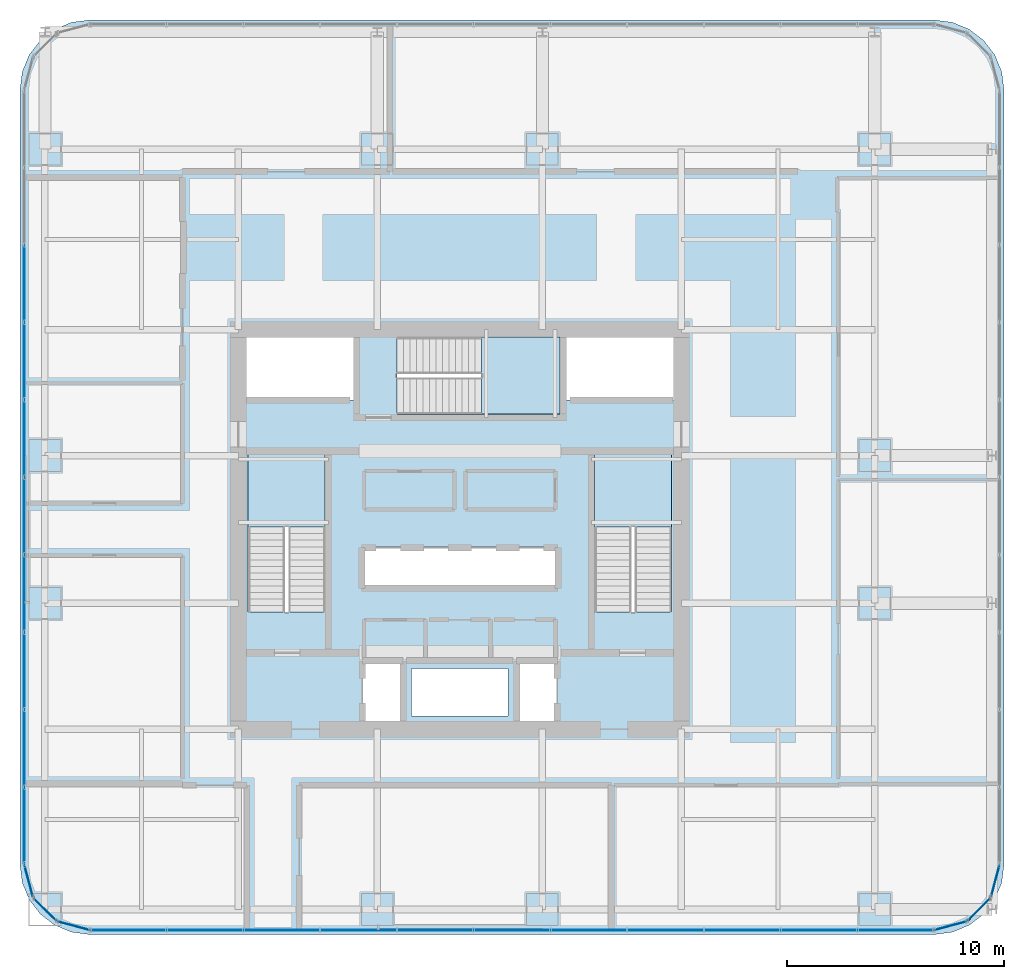
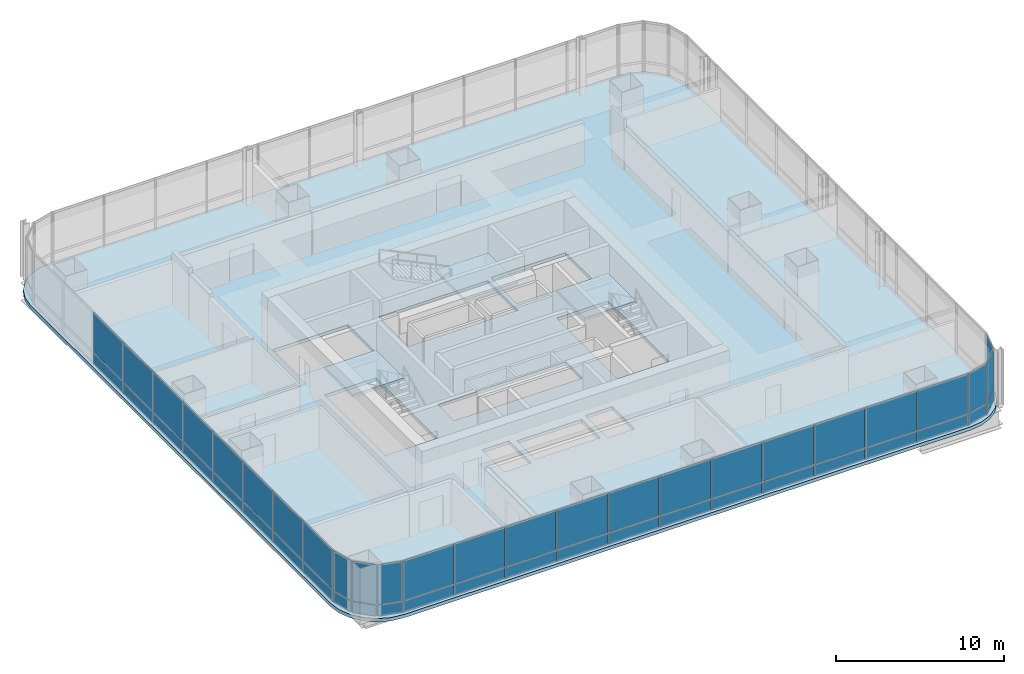
# One storey, part 25 of 34: 50 plates, 4 slabs, 11 elements without a shape of their own.
"""IFC4 building model written with IfcOpenShell, lengths in metres."""

from ifc_helpers import new_model, si_unit, direction, frame, origin, origin_2d, place, context, subcontext, project, spatial, polyline, rectangle, outline, extrude, material, layer, layer_set, type_object, element, aggregate, save


model = new_model("IFC4")

# Units and contexts
model_context = context("Model", 3, precision=1e-05, world=origin(), true_north=direction((0.0, 1.0)))
body_context = subcontext(model_context, "Body", "Model", "MODEL_VIEW")
ifc_project = project(units=[si_unit("LENGTHUNIT", "METRE"), si_unit("AREAUNIT", "SQUARE_METRE"), si_unit("VOLUMEUNIT", "CUBIC_METRE"), si_unit("PLANEANGLEUNIT", "RADIAN"), si_unit("MASSUNIT", "GRAM", prefix="KILO")], contexts=[model_context])

# Site, building, storey
site_placement = place(None, origin())
site = spatial("IfcSite", under=ifc_project, at=site_placement, CompositionType="ELEMENT")
building_placement = place(site_placement, origin())
building = spatial("IfcBuilding", under=site, at=building_placement, Name="Punatoya Terracotta Tower", CompositionType="ELEMENT")
storey_placement = place(building_placement, frame((0.0, 0.0, 101.10009765625)))
storey = spatial("IfcBuildingStorey", under=building, at=storey_placement, Name="L23", CompositionType="ELEMENT", Elevation=101.10009765625)

# Curtain wall, plates
ifc_material_1 = material(Name="Aluminium 6063-T6 + Double Low-E Glass", Category="aluminium")
curtain_wall_type = type_object("IfcCurtainWallType", Name="CW-M1", PredefinedType="NOTDEFINED", material=ifc_material_1)
curtain_wall_1_placement = place(storey_placement, origin())
curtain_wall_1 = element("IfcCurtainWall", 1, at=curtain_wall_1_placement, inside=storey, type_object=curtain_wall_type, Name="L23 Curtain Wall CW-L23-S01-1", PredefinedType="NOTDEFINED")
ifc_material_2 = material(Name="Double Low-E Clear Vision Glass", Category="glass")
ifc_layer_1 = layer(ifc_material_2, 0.028076171875)
ifc_layer_set_1 = layer_set([ifc_layer_1], Name="Double Low-E Clear Vision Glass")
plate_type_1 = type_object("IfcPlateType", Name="PLT-GLZ-28", PredefinedType="CURTAIN_PANEL", material=ifc_layer_set_1)
plate_1_placement = place(storey_placement, frame((-15.27001953125, -18.449951171875, 0.889892578125), z_axis=(0.0, 0.0, 1.0), x_axis=(1.0, 0.0, 0.0)))
plate_1 = element("IfcPlate", 2, at=plate_1_placement, type_object=plate_type_1, Name="CW-L23-S01-1 Vision Glass Panel 1", PredefinedType="CURTAIN_PANEL", context=body_context, shape_type="SweptSolid", body=[
    extrude(rectangle(XDim=3.448974609375, YDim=0.028076171875, at=origin_2d()), origin(), (0.0, 0.0, 1.0), 2.8798828125),
])
plate_2_placement = place(storey_placement, frame((-11.73583984375, -18.449951171875, 0.889892578125), z_axis=(0.0, 0.0, 1.0), x_axis=(1.0, 0.0, 0.0)))
plate_2 = element("IfcPlate", 3, at=plate_2_placement, type_object=plate_type_1, Name="CW-L23-S01-1 Vision Glass Panel 2", PredefinedType="CURTAIN_PANEL", context=body_context, shape_type="SweptSolid", body=[
    extrude(rectangle(XDim=3.448974609375, YDim=0.028076171875, at=origin_2d()), origin(), (0.0, 0.0, 1.0), 2.8798828125),
])
plate_3_placement = place(storey_placement, frame((-8.201904296875, -18.449951171875, 0.889892578125), z_axis=(0.0, 0.0, 1.0), x_axis=(1.0, 0.0, 0.0)))
plate_3 = element("IfcPlate", 4, at=plate_3_placement, type_object=plate_type_1, Name="CW-L23-S01-1 Vision Glass Panel 3", PredefinedType="CURTAIN_PANEL", context=body_context, shape_type="SweptSolid", body=[
    extrude(rectangle(XDim=3.448974609375, YDim=0.028076171875, at=origin_2d()), origin(), (0.0, 0.0, 1.0), 2.8798828125),
])
plate_4_placement = place(storey_placement, frame((-4.66796875, -18.449951171875, 0.889892578125), z_axis=(0.0, 0.0, 1.0), x_axis=(1.0, 0.0, 0.0)))
plate_4 = element("IfcPlate", 5, at=plate_4_placement, type_object=plate_type_1, Name="CW-L23-S01-1 Vision Glass Panel 4", PredefinedType="CURTAIN_PANEL", context=body_context, shape_type="SweptSolid", body=[
    extrude(rectangle(XDim=3.448974609375, YDim=0.028076171875, at=origin_2d()), origin(), (0.0, 0.0, 1.0), 2.8798828125),
])
plate_5_placement = place(storey_placement, frame((-1.134033203125, -18.449951171875, 0.889892578125), z_axis=(0.0, 0.0, 1.0), x_axis=(1.0, 0.0, 0.0)))
plate_5 = element("IfcPlate", 6, at=plate_5_placement, type_object=plate_type_1, Name="CW-L23-S01-1 Vision Glass Panel 5", PredefinedType="CURTAIN_PANEL", context=body_context, shape_type="SweptSolid", body=[
    extrude(rectangle(XDim=3.448974609375, YDim=0.028076171875, at=origin_2d()), origin(), (0.0, 0.0, 1.0), 2.8798828125),
])
plate_6_placement = place(storey_placement, frame((2.39990234375, -18.449951171875, 0.889892578125), z_axis=(0.0, 0.0, 1.0), x_axis=(1.0, 0.0, 0.0)))
plate_6 = element("IfcPlate", 7, at=plate_6_placement, type_object=plate_type_1, Name="CW-L23-S01-1 Vision Glass Panel 6", PredefinedType="CURTAIN_PANEL", context=body_context, shape_type="SweptSolid", body=[
    extrude(rectangle(XDim=3.448974609375, YDim=0.028076171875, at=origin_2d()), origin(), (0.0, 0.0, 1.0), 2.8798828125),
])
plate_7_placement = place(storey_placement, frame((5.93408203125, -18.449951171875, 0.889892578125), z_axis=(0.0, 0.0, 1.0), x_axis=(1.0, 0.0, 0.0)))
plate_7 = element("IfcPlate", 8, at=plate_7_placement, type_object=plate_type_1, Name="CW-L23-S01-1 Vision Glass Panel 7", PredefinedType="CURTAIN_PANEL", context=body_context, shape_type="SweptSolid", body=[
    extrude(rectangle(XDim=3.448974609375, YDim=0.028076171875, at=origin_2d()), origin(), (0.0, 0.0, 1.0), 2.8798828125),
])
plate_8_placement = place(storey_placement, frame((9.468017578125, -18.449951171875, 0.889892578125), z_axis=(0.0, 0.0, 1.0), x_axis=(1.0, 0.0, 0.0)))
plate_8 = element("IfcPlate", 9, at=plate_8_placement, type_object=plate_type_1, Name="CW-L23-S01-1 Vision Glass Panel 8", PredefinedType="CURTAIN_PANEL", context=body_context, shape_type="SweptSolid", body=[
    extrude(rectangle(XDim=3.448974609375, YDim=0.028076171875, at=origin_2d()), origin(), (0.0, 0.0, 1.0), 2.8798828125),
])
plate_9_placement = place(storey_placement, frame((13.001953125, -18.449951171875, 0.889892578125), z_axis=(0.0, 0.0, 1.0), x_axis=(1.0, 0.0, 0.0)))
plate_9 = element("IfcPlate", 10, at=plate_9_placement, type_object=plate_type_1, Name="CW-L23-S01-1 Vision Glass Panel 9", PredefinedType="CURTAIN_PANEL", context=body_context, shape_type="SweptSolid", body=[
    extrude(rectangle(XDim=3.448974609375, YDim=0.028076171875, at=origin_2d()), origin(), (0.0, 0.0, 1.0), 2.8798828125),
])
plate_10_placement = place(storey_placement, frame((16.535888671875, -18.449951171875, 0.889892578125), z_axis=(0.0, 0.0, 1.0), x_axis=(1.0, 0.0, 0.0)))
plate_10 = element("IfcPlate", 11, at=plate_10_placement, type_object=plate_type_1, Name="CW-L23-S01-1 Vision Glass Panel 10", PredefinedType="CURTAIN_PANEL", context=body_context, shape_type="SweptSolid", body=[
    extrude(rectangle(XDim=3.448974609375, YDim=0.028076171875, at=origin_2d()), origin(), (0.0, 0.0, 1.0), 2.8798828125),
])
plate_11_placement = place(storey_placement, frame((20.06982421875, -18.449951171875, 0.889892578125), z_axis=(0.0, 0.0, 1.0), x_axis=(1.0, 0.0, 0.0)))
plate_11 = element("IfcPlate", 12, at=plate_11_placement, type_object=plate_type_1, Name="CW-L23-S01-1 Vision Glass Panel 11", PredefinedType="CURTAIN_PANEL", context=body_context, shape_type="SweptSolid", body=[
    extrude(rectangle(XDim=3.448974609375, YDim=0.028076171875, at=origin_2d()), origin(), (0.0, 0.0, 1.0), 2.8798828125),
])

# Curtain wall, plate
curtain_wall_2_placement = place(storey_placement, origin())
curtain_wall_2 = element("IfcCurtainWall", 13, at=curtain_wall_2_placement, inside=storey, type_object=curtain_wall_type, Name="L23 Curtain Wall CW-L23-CRN02", PredefinedType="NOTDEFINED")
plate_12_placement = place(storey_placement, frame((22.593017578125, -18.248291015625, 0.889892578125), z_axis=(0.0, 0.0, 1.0), x_axis=(0.966213877436, 0.257741620719, 0.0)))
plate_12 = element("IfcPlate", 14, at=plate_12_placement, type_object=plate_type_1, Name="CW-L23-CRN02 Vision Glass Panel 1", PredefinedType="CURTAIN_PANEL", context=body_context, shape_type="SweptSolid", body=[
    extrude(rectangle(XDim=1.47998046875, YDim=0.028076171875, at=origin_2d()), origin(), (0.0, 0.0, 1.0), 2.8798828125),
])

curtain_wall_3_placement = place(storey_placement, origin())
curtain_wall_3 = element("IfcCurtainWall", 15, at=curtain_wall_3_placement, inside=storey, type_object=curtain_wall_type, Name="L23 Curtain Wall CW-L23-CRN03", PredefinedType="NOTDEFINED")
plate_13_placement = place(storey_placement, frame((23.89794921875, -17.497802734375, 0.889892578125), z_axis=(0.0, 0.0, 1.0), x_axis=(0.707106781187, 0.707106781187, 0.0)))
plate_13 = element("IfcPlate", 16, at=plate_13_placement, type_object=plate_type_1, Name="CW-L23-CRN03 Vision Glass Panel 1", PredefinedType="CURTAIN_PANEL", context=body_context, shape_type="SweptSolid", body=[
    extrude(rectangle(XDim=1.467041015625, YDim=0.028076171875, at=origin_2d()), origin(), (0.0, 0.0, 1.0), 2.8798828125),
])

curtain_wall_4_placement = place(storey_placement, origin())
curtain_wall_4 = element("IfcCurtainWall", 17, at=curtain_wall_4_placement, inside=storey, type_object=curtain_wall_type, Name="L23 Curtain Wall CW-L23-CRN04", PredefinedType="NOTDEFINED")
plate_14_placement = place(storey_placement, frame((24.648193359375, -16.193115234375, 0.889892578125), z_axis=(0.0, 0.0, 1.0), x_axis=(0.257741620719, 0.966213877436, 0.0)))
plate_14 = element("IfcPlate", 18, at=plate_14_placement, type_object=plate_type_1, Name="CW-L23-CRN04 Vision Glass Panel 1", PredefinedType="CURTAIN_PANEL", context=body_context, shape_type="SweptSolid", body=[
    extrude(rectangle(XDim=1.47998046875, YDim=0.028076171875, at=origin_2d()), origin(), (0.0, 0.0, 1.0), 2.8798828125),
])

# Curtain wall, plates
curtain_wall_5_placement = place(storey_placement, origin())
curtain_wall_5 = element("IfcCurtainWall", 19, at=curtain_wall_5_placement, inside=storey, type_object=curtain_wall_type, Name="L23 Curtain Wall CW-L23-W13-1", PredefinedType="NOTDEFINED")
plate_15_placement = place(storey_placement, frame((-20.050048828125, 11.318359375, 0.889892578125), z_axis=(0.0, 0.0, 1.0), x_axis=(0.0, -1.0, 0.0)))
plate_15 = element("IfcPlate", 20, at=plate_15_placement, type_object=plate_type_1, Name="CW-L23-W13-1 Vision Glass Panel 3", PredefinedType="CURTAIN_PANEL", context=body_context, shape_type="SweptSolid", body=[
    extrude(rectangle(XDim=3.482421875, YDim=0.028076171875, at=origin_2d()), origin(), (0.0, 0.0, 1.0), 2.8798828125),
])
plate_16_placement = place(storey_placement, frame((-20.050048828125, 7.751220703125, 0.889892578125), z_axis=(0.0, 0.0, 1.0), x_axis=(0.0, -1.0, 0.0)))
plate_16 = element("IfcPlate", 21, at=plate_16_placement, type_object=plate_type_1, Name="CW-L23-W13-1 Vision Glass Panel 4", PredefinedType="CURTAIN_PANEL", context=body_context, shape_type="SweptSolid", body=[
    extrude(rectangle(XDim=3.482421875, YDim=0.028076171875, at=origin_2d()), origin(), (0.0, 0.0, 1.0), 2.8798828125),
])
plate_17_placement = place(storey_placement, frame((-20.050048828125, 4.18359375, 0.889892578125), z_axis=(0.0, 0.0, 1.0), x_axis=(0.0, -1.0, 0.0)))
plate_17 = element("IfcPlate", 22, at=plate_17_placement, type_object=plate_type_1, Name="CW-L23-W13-1 Vision Glass Panel 5", PredefinedType="CURTAIN_PANEL", context=body_context, shape_type="SweptSolid", body=[
    extrude(rectangle(XDim=3.482421875, YDim=0.028076171875, at=origin_2d()), origin(), (0.0, 0.0, 1.0), 2.8798828125),
])
plate_18_placement = place(storey_placement, frame((-20.050048828125, 0.6162109375, 0.889892578125), z_axis=(0.0, 0.0, 1.0), x_axis=(0.0, -1.0, 0.0)))
plate_18 = element("IfcPlate", 23, at=plate_18_placement, type_object=plate_type_1, Name="CW-L23-W13-1 Vision Glass Panel 6", PredefinedType="CURTAIN_PANEL", context=body_context, shape_type="SweptSolid", body=[
    extrude(rectangle(XDim=3.482421875, YDim=0.028076171875, at=origin_2d()), origin(), (0.0, 0.0, 1.0), 2.8798828125),
])
plate_19_placement = place(storey_placement, frame((-20.050048828125, -2.951171875, 0.889892578125), z_axis=(0.0, 0.0, 1.0), x_axis=(0.0, -1.0, 0.0)))
plate_19 = element("IfcPlate", 24, at=plate_19_placement, type_object=plate_type_1, Name="CW-L23-W13-1 Vision Glass Panel 7", PredefinedType="CURTAIN_PANEL", context=body_context, shape_type="SweptSolid", body=[
    extrude(rectangle(XDim=3.482421875, YDim=0.028076171875, at=origin_2d()), origin(), (0.0, 0.0, 1.0), 2.8798828125),
])
plate_20_placement = place(storey_placement, frame((-20.050048828125, -6.518310546875, 0.889892578125), z_axis=(0.0, 0.0, 1.0), x_axis=(0.0, -1.0, 0.0)))
plate_20 = element("IfcPlate", 25, at=plate_20_placement, type_object=plate_type_1, Name="CW-L23-W13-1 Vision Glass Panel 8", PredefinedType="CURTAIN_PANEL", context=body_context, shape_type="SweptSolid", body=[
    extrude(rectangle(XDim=3.482421875, YDim=0.028076171875, at=origin_2d()), origin(), (0.0, 0.0, 1.0), 2.8798828125),
])
plate_21_placement = place(storey_placement, frame((-20.050048828125, -10.085693359375, 0.889892578125), z_axis=(0.0, 0.0, 1.0), x_axis=(0.0, -1.0, 0.0)))
plate_21 = element("IfcPlate", 26, at=plate_21_placement, type_object=plate_type_1, Name="CW-L23-W13-1 Vision Glass Panel 9", PredefinedType="CURTAIN_PANEL", context=body_context, shape_type="SweptSolid", body=[
    extrude(rectangle(XDim=3.482421875, YDim=0.028076171875, at=origin_2d()), origin(), (0.0, 0.0, 1.0), 2.8798828125),
])
plate_22_placement = place(storey_placement, frame((-20.050048828125, -13.6533203125, 0.889892578125), z_axis=(0.0, 0.0, 1.0), x_axis=(0.0, -1.0, 0.0)))
plate_22 = element("IfcPlate", 27, at=plate_22_placement, type_object=plate_type_1, Name="CW-L23-W13-1 Vision Glass Panel 10", PredefinedType="CURTAIN_PANEL", context=body_context, shape_type="SweptSolid", body=[
    extrude(rectangle(XDim=3.482421875, YDim=0.028076171875, at=origin_2d()), origin(), (0.0, 0.0, 1.0), 2.8798828125),
])

# Curtain wall, plate
curtain_wall_6_placement = place(storey_placement, origin())
curtain_wall_6 = element("IfcCurtainWall", 28, at=curtain_wall_6_placement, inside=storey, type_object=curtain_wall_type, Name="L23 Curtain Wall CW-L23-CRN14", PredefinedType="NOTDEFINED")
plate_23_placement = place(storey_placement, frame((-19.848388671875, -16.193115234375, 0.889892578125), z_axis=(0.0, 0.0, 1.0), x_axis=(0.257741620719, -0.966213877436, 0.0)))
plate_23 = element("IfcPlate", 29, at=plate_23_placement, type_object=plate_type_1, Name="CW-L23-CRN14 Vision Glass Panel 1", PredefinedType="CURTAIN_PANEL", context=body_context, shape_type="SweptSolid", body=[
    extrude(rectangle(XDim=1.47998046875, YDim=0.028076171875, at=origin_2d()), origin(), (0.0, 0.0, 1.0), 2.8798828125),
])

curtain_wall_7_placement = place(storey_placement, origin())
curtain_wall_7 = element("IfcCurtainWall", 30, at=curtain_wall_7_placement, inside=storey, type_object=curtain_wall_type, Name="L23 Curtain Wall CW-L23-CRN15", PredefinedType="NOTDEFINED")
plate_24_placement = place(storey_placement, frame((-19.097900390625, -17.497802734375, 0.889892578125), z_axis=(0.0, 0.0, 1.0), x_axis=(0.707106781187, -0.707106781187, 0.0)))
plate_24 = element("IfcPlate", 31, at=plate_24_placement, type_object=plate_type_1, Name="CW-L23-CRN15 Vision Glass Panel 1", PredefinedType="CURTAIN_PANEL", context=body_context, shape_type="SweptSolid", body=[
    extrude(rectangle(XDim=1.467041015625, YDim=0.028076171875, at=origin_2d()), origin(), (0.0, 0.0, 1.0), 2.8798828125),
])

curtain_wall_8_placement = place(storey_placement, origin())
curtain_wall_8 = element("IfcCurtainWall", 32, at=curtain_wall_8_placement, inside=storey, type_object=curtain_wall_type, Name="L23 Curtain Wall CW-L23-CRN16", PredefinedType="NOTDEFINED")
plate_25_placement = place(storey_placement, frame((-17.79296875, -18.248291015625, 0.889892578125), z_axis=(0.0, 0.0, 1.0), x_axis=(0.966213877436, -0.257741620719, 0.0)))
plate_25 = element("IfcPlate", 33, at=plate_25_placement, type_object=plate_type_1, Name="CW-L23-CRN16 Vision Glass Panel 1", PredefinedType="CURTAIN_PANEL", context=body_context, shape_type="SweptSolid", body=[
    extrude(rectangle(XDim=1.47998046875, YDim=0.028076171875, at=origin_2d()), origin(), (0.0, 0.0, 1.0), 2.8798828125),
])

# Plate
ifc_material_3 = material(Name="Insulated Terracotta-Backed Spandrel Panel", Category="masonry")
ifc_layer_2 = layer(ifc_material_3, 0.044921875)
ifc_layer_set_2 = layer_set([ifc_layer_2], Name="Insulated Terracotta-Backed Spandrel Panel")
plate_type_2 = type_object("IfcPlateType", Name="PLT-SPN-45", PredefinedType="CURTAIN_PANEL", material=ifc_layer_set_2)
plate_26_placement = place(storey_placement, frame((-15.27001953125, -18.449951171875, 0.0400390625), z_axis=(0.0, 0.0, 1.0), x_axis=(1.0, 0.0, 0.0)))
plate_26 = element("IfcPlate", 34, at=plate_26_placement, type_object=plate_type_2, Name="CW-L23-S01-1 Terracotta Spandrel Panel 1", PredefinedType="CURTAIN_PANEL", context=body_context, shape_type="SweptSolid", body=[
    extrude(rectangle(XDim=3.448974609375, YDim=0.044921875, at=origin_2d()), origin(), (0.0, 0.0, 1.0), 0.77490234375),
])

plate_27_placement = place(storey_placement, frame((-11.73583984375, -18.449951171875, 0.0400390625), z_axis=(0.0, 0.0, 1.0), x_axis=(1.0, 0.0, 0.0)))
plate_27 = element("IfcPlate", 35, at=plate_27_placement, type_object=plate_type_2, Name="CW-L23-S01-1 Terracotta Spandrel Panel 2", PredefinedType="CURTAIN_PANEL", context=body_context, shape_type="SweptSolid", body=[
    extrude(rectangle(XDim=3.448974609375, YDim=0.044921875, at=origin_2d()), origin(), (0.0, 0.0, 1.0), 0.77490234375),
])

plate_28_placement = place(storey_placement, frame((-8.201904296875, -18.449951171875, 0.0400390625), z_axis=(0.0, 0.0, 1.0), x_axis=(1.0, 0.0, 0.0)))
plate_28 = element("IfcPlate", 36, at=plate_28_placement, type_object=plate_type_2, Name="CW-L23-S01-1 Terracotta Spandrel Panel 3", PredefinedType="CURTAIN_PANEL", context=body_context, shape_type="SweptSolid", body=[
    extrude(rectangle(XDim=3.448974609375, YDim=0.044921875, at=origin_2d()), origin(), (0.0, 0.0, 1.0), 0.77490234375),
])

plate_29_placement = place(storey_placement, frame((-4.66796875, -18.449951171875, 0.0400390625), z_axis=(0.0, 0.0, 1.0), x_axis=(1.0, 0.0, 0.0)))
plate_29 = element("IfcPlate", 37, at=plate_29_placement, type_object=plate_type_2, Name="CW-L23-S01-1 Terracotta Spandrel Panel 4", PredefinedType="CURTAIN_PANEL", context=body_context, shape_type="SweptSolid", body=[
    extrude(rectangle(XDim=3.448974609375, YDim=0.044921875, at=origin_2d()), origin(), (0.0, 0.0, 1.0), 0.77490234375),
])

plate_30_placement = place(storey_placement, frame((-1.134033203125, -18.449951171875, 0.0400390625), z_axis=(0.0, 0.0, 1.0), x_axis=(1.0, 0.0, 0.0)))
plate_30 = element("IfcPlate", 38, at=plate_30_placement, type_object=plate_type_2, Name="CW-L23-S01-1 Terracotta Spandrel Panel 5", PredefinedType="CURTAIN_PANEL", context=body_context, shape_type="SweptSolid", body=[
    extrude(rectangle(XDim=3.448974609375, YDim=0.044921875, at=origin_2d()), origin(), (0.0, 0.0, 1.0), 0.77490234375),
])

plate_31_placement = place(storey_placement, frame((2.39990234375, -18.449951171875, 0.0400390625), z_axis=(0.0, 0.0, 1.0), x_axis=(1.0, 0.0, 0.0)))
plate_31 = element("IfcPlate", 39, at=plate_31_placement, type_object=plate_type_2, Name="CW-L23-S01-1 Terracotta Spandrel Panel 6", PredefinedType="CURTAIN_PANEL", context=body_context, shape_type="SweptSolid", body=[
    extrude(rectangle(XDim=3.448974609375, YDim=0.044921875, at=origin_2d()), origin(), (0.0, 0.0, 1.0), 0.77490234375),
])

plate_32_placement = place(storey_placement, frame((5.93408203125, -18.449951171875, 0.0400390625), z_axis=(0.0, 0.0, 1.0), x_axis=(1.0, 0.0, 0.0)))
plate_32 = element("IfcPlate", 40, at=plate_32_placement, type_object=plate_type_2, Name="CW-L23-S01-1 Terracotta Spandrel Panel 7", PredefinedType="CURTAIN_PANEL", context=body_context, shape_type="SweptSolid", body=[
    extrude(rectangle(XDim=3.448974609375, YDim=0.044921875, at=origin_2d()), origin(), (0.0, 0.0, 1.0), 0.77490234375),
])

plate_33_placement = place(storey_placement, frame((9.468017578125, -18.449951171875, 0.0400390625), z_axis=(0.0, 0.0, 1.0), x_axis=(1.0, 0.0, 0.0)))
plate_33 = element("IfcPlate", 41, at=plate_33_placement, type_object=plate_type_2, Name="CW-L23-S01-1 Terracotta Spandrel Panel 8", PredefinedType="CURTAIN_PANEL", context=body_context, shape_type="SweptSolid", body=[
    extrude(rectangle(XDim=3.448974609375, YDim=0.044921875, at=origin_2d()), origin(), (0.0, 0.0, 1.0), 0.77490234375),
])

plate_34_placement = place(storey_placement, frame((13.001953125, -18.449951171875, 0.0400390625), z_axis=(0.0, 0.0, 1.0), x_axis=(1.0, 0.0, 0.0)))
plate_34 = element("IfcPlate", 42, at=plate_34_placement, type_object=plate_type_2, Name="CW-L23-S01-1 Terracotta Spandrel Panel 9", PredefinedType="CURTAIN_PANEL", context=body_context, shape_type="SweptSolid", body=[
    extrude(rectangle(XDim=3.448974609375, YDim=0.044921875, at=origin_2d()), origin(), (0.0, 0.0, 1.0), 0.77490234375),
])

plate_35_placement = place(storey_placement, frame((16.535888671875, -18.449951171875, 0.0400390625), z_axis=(0.0, 0.0, 1.0), x_axis=(1.0, 0.0, 0.0)))
plate_35 = element("IfcPlate", 43, at=plate_35_placement, type_object=plate_type_2, Name="CW-L23-S01-1 Terracotta Spandrel Panel 10", PredefinedType="CURTAIN_PANEL", context=body_context, shape_type="SweptSolid", body=[
    extrude(rectangle(XDim=3.448974609375, YDim=0.044921875, at=origin_2d()), origin(), (0.0, 0.0, 1.0), 0.77490234375),
])

plate_36_placement = place(storey_placement, frame((20.06982421875, -18.449951171875, 0.0400390625), z_axis=(0.0, 0.0, 1.0), x_axis=(1.0, 0.0, 0.0)))
plate_36 = element("IfcPlate", 44, at=plate_36_placement, type_object=plate_type_2, Name="CW-L23-S01-1 Terracotta Spandrel Panel 11", PredefinedType="CURTAIN_PANEL", context=body_context, shape_type="SweptSolid", body=[
    extrude(rectangle(XDim=3.448974609375, YDim=0.044921875, at=origin_2d()), origin(), (0.0, 0.0, 1.0), 0.77490234375),
])

aggregate(curtain_wall_1, [plate_26, plate_1, plate_27, plate_2, plate_28, plate_3, plate_29, plate_4, plate_30, plate_5, plate_31, plate_6, plate_32, plate_7, plate_33, plate_8, plate_34, plate_9, plate_35, plate_10, plate_36, plate_11])

plate_37_placement = place(storey_placement, frame((22.593017578125, -18.248291015625, 0.0400390625), z_axis=(0.0, 0.0, 1.0), x_axis=(0.966213877436, 0.257741620719, 0.0)))
plate_37 = element("IfcPlate", 45, at=plate_37_placement, type_object=plate_type_2, Name="CW-L23-CRN02 Terracotta Spandrel Panel 1", PredefinedType="CURTAIN_PANEL", context=body_context, shape_type="SweptSolid", body=[
    extrude(rectangle(XDim=1.47998046875, YDim=0.044921875, at=origin_2d()), origin(), (0.0, 0.0, 1.0), 0.77490234375),
])

aggregate(curtain_wall_2, [plate_37, plate_12])

plate_38_placement = place(storey_placement, frame((23.89794921875, -17.497802734375, 0.0400390625), z_axis=(0.0, 0.0, 1.0), x_axis=(0.707106781187, 0.707106781187, 0.0)))
plate_38 = element("IfcPlate", 46, at=plate_38_placement, type_object=plate_type_2, Name="CW-L23-CRN03 Terracotta Spandrel Panel 1", PredefinedType="CURTAIN_PANEL", context=body_context, shape_type="SweptSolid", body=[
    extrude(rectangle(XDim=1.467041015625, YDim=0.044921875, at=origin_2d()), origin(), (0.0, 0.0, 1.0), 0.77490234375),
])

aggregate(curtain_wall_3, [plate_38, plate_13])

plate_39_placement = place(storey_placement, frame((24.648193359375, -16.193115234375, 0.0400390625), z_axis=(0.0, 0.0, 1.0), x_axis=(0.257741620719, 0.966213877436, 0.0)))
plate_39 = element("IfcPlate", 47, at=plate_39_placement, type_object=plate_type_2, Name="CW-L23-CRN04 Terracotta Spandrel Panel 1", PredefinedType="CURTAIN_PANEL", context=body_context, shape_type="SweptSolid", body=[
    extrude(rectangle(XDim=1.47998046875, YDim=0.044921875, at=origin_2d()), origin(), (0.0, 0.0, 1.0), 0.77490234375),
])

aggregate(curtain_wall_4, [plate_39, plate_14])

plate_40_placement = place(storey_placement, frame((-20.050048828125, 11.318359375, 0.0400390625), z_axis=(0.0, 0.0, 1.0), x_axis=(0.0, -1.0, 0.0)))
plate_40 = element("IfcPlate", 48, at=plate_40_placement, type_object=plate_type_2, Name="CW-L23-W13-1 Terracotta Spandrel Panel 3", PredefinedType="CURTAIN_PANEL", context=body_context, shape_type="SweptSolid", body=[
    extrude(rectangle(XDim=3.482421875, YDim=0.044921875, at=origin_2d()), origin(), (0.0, 0.0, 1.0), 0.77490234375),
])

plate_41_placement = place(storey_placement, frame((-20.050048828125, 7.751220703125, 0.0400390625), z_axis=(0.0, 0.0, 1.0), x_axis=(0.0, -1.0, 0.0)))
plate_41 = element("IfcPlate", 49, at=plate_41_placement, type_object=plate_type_2, Name="CW-L23-W13-1 Terracotta Spandrel Panel 4", PredefinedType="CURTAIN_PANEL", context=body_context, shape_type="SweptSolid", body=[
    extrude(rectangle(XDim=3.482421875, YDim=0.044921875, at=origin_2d()), origin(), (0.0, 0.0, 1.0), 0.77490234375),
])

plate_42_placement = place(storey_placement, frame((-20.050048828125, 4.18359375, 0.0400390625), z_axis=(0.0, 0.0, 1.0), x_axis=(0.0, -1.0, 0.0)))
plate_42 = element("IfcPlate", 50, at=plate_42_placement, type_object=plate_type_2, Name="CW-L23-W13-1 Terracotta Spandrel Panel 5", PredefinedType="CURTAIN_PANEL", context=body_context, shape_type="SweptSolid", body=[
    extrude(rectangle(XDim=3.482421875, YDim=0.044921875, at=origin_2d()), origin(), (0.0, 0.0, 1.0), 0.77490234375),
])

plate_43_placement = place(storey_placement, frame((-20.050048828125, 0.6162109375, 0.0400390625), z_axis=(0.0, 0.0, 1.0), x_axis=(0.0, -1.0, 0.0)))
plate_43 = element("IfcPlate", 51, at=plate_43_placement, type_object=plate_type_2, Name="CW-L23-W13-1 Terracotta Spandrel Panel 6", PredefinedType="CURTAIN_PANEL", context=body_context, shape_type="SweptSolid", body=[
    extrude(rectangle(XDim=3.482421875, YDim=0.044921875, at=origin_2d()), origin(), (0.0, 0.0, 1.0), 0.77490234375),
])

plate_44_placement = place(storey_placement, frame((-20.050048828125, -2.951171875, 0.0400390625), z_axis=(0.0, 0.0, 1.0), x_axis=(0.0, -1.0, 0.0)))
plate_44 = element("IfcPlate", 52, at=plate_44_placement, type_object=plate_type_2, Name="CW-L23-W13-1 Terracotta Spandrel Panel 7", PredefinedType="CURTAIN_PANEL", context=body_context, shape_type="SweptSolid", body=[
    extrude(rectangle(XDim=3.482421875, YDim=0.044921875, at=origin_2d()), origin(), (0.0, 0.0, 1.0), 0.77490234375),
])

plate_45_placement = place(storey_placement, frame((-20.050048828125, -6.518310546875, 0.0400390625), z_axis=(0.0, 0.0, 1.0), x_axis=(0.0, -1.0, 0.0)))
plate_45 = element("IfcPlate", 53, at=plate_45_placement, type_object=plate_type_2, Name="CW-L23-W13-1 Terracotta Spandrel Panel 8", PredefinedType="CURTAIN_PANEL", context=body_context, shape_type="SweptSolid", body=[
    extrude(rectangle(XDim=3.482421875, YDim=0.044921875, at=origin_2d()), origin(), (0.0, 0.0, 1.0), 0.77490234375),
])

plate_46_placement = place(storey_placement, frame((-20.050048828125, -10.085693359375, 0.0400390625), z_axis=(0.0, 0.0, 1.0), x_axis=(0.0, -1.0, 0.0)))
plate_46 = element("IfcPlate", 54, at=plate_46_placement, type_object=plate_type_2, Name="CW-L23-W13-1 Terracotta Spandrel Panel 9", PredefinedType="CURTAIN_PANEL", context=body_context, shape_type="SweptSolid", body=[
    extrude(rectangle(XDim=3.482421875, YDim=0.044921875, at=origin_2d()), origin(), (0.0, 0.0, 1.0), 0.77490234375),
])

plate_47_placement = place(storey_placement, frame((-20.050048828125, -13.6533203125, 0.0400390625), z_axis=(0.0, 0.0, 1.0), x_axis=(0.0, -1.0, 0.0)))
plate_47 = element("IfcPlate", 55, at=plate_47_placement, type_object=plate_type_2, Name="CW-L23-W13-1 Terracotta Spandrel Panel 10", PredefinedType="CURTAIN_PANEL", context=body_context, shape_type="SweptSolid", body=[
    extrude(rectangle(XDim=3.482421875, YDim=0.044921875, at=origin_2d()), origin(), (0.0, 0.0, 1.0), 0.77490234375),
])

aggregate(curtain_wall_5, [plate_40, plate_15, plate_41, plate_16, plate_42, plate_17, plate_43, plate_18, plate_44, plate_19, plate_45, plate_20, plate_46, plate_21, plate_47, plate_22])

plate_48_placement = place(storey_placement, frame((-19.848388671875, -16.193115234375, 0.0400390625), z_axis=(0.0, 0.0, 1.0), x_axis=(0.257741620719, -0.966213877436, 0.0)))
plate_48 = element("IfcPlate", 56, at=plate_48_placement, type_object=plate_type_2, Name="CW-L23-CRN14 Terracotta Spandrel Panel 1", PredefinedType="CURTAIN_PANEL", context=body_context, shape_type="SweptSolid", body=[
    extrude(rectangle(XDim=1.47998046875, YDim=0.044921875, at=origin_2d()), origin(), (0.0, 0.0, 1.0), 0.77490234375),
])

aggregate(curtain_wall_6, [plate_48, plate_23])

plate_49_placement = place(storey_placement, frame((-19.097900390625, -17.497802734375, 0.0400390625), z_axis=(0.0, 0.0, 1.0), x_axis=(0.707106781187, -0.707106781187, 0.0)))
plate_49 = element("IfcPlate", 57, at=plate_49_placement, type_object=plate_type_2, Name="CW-L23-CRN15 Terracotta Spandrel Panel 1", PredefinedType="CURTAIN_PANEL", context=body_context, shape_type="SweptSolid", body=[
    extrude(rectangle(XDim=1.467041015625, YDim=0.044921875, at=origin_2d()), origin(), (0.0, 0.0, 1.0), 0.77490234375),
])

aggregate(curtain_wall_7, [plate_49, plate_24])

plate_50_placement = place(storey_placement, frame((-17.79296875, -18.248291015625, 0.0400390625), z_axis=(0.0, 0.0, 1.0), x_axis=(0.966213877436, -0.257741620719, 0.0)))
plate_50 = element("IfcPlate", 58, at=plate_50_placement, type_object=plate_type_2, Name="CW-L23-CRN16 Terracotta Spandrel Panel 1", PredefinedType="CURTAIN_PANEL", context=body_context, shape_type="SweptSolid", body=[
    extrude(rectangle(XDim=1.47998046875, YDim=0.044921875, at=origin_2d()), origin(), (0.0, 0.0, 1.0), 0.77490234375),
])

aggregate(curtain_wall_8, [plate_50, plate_25])

# Stair, slab
ifc_material_4 = material(Name="Concrete C40/50", Category="concrete")
stair_type_1 = type_object("IfcStairType", Name="STR-TER-1450", PredefinedType="HALF_TURN_STAIR", material=ifc_material_4)
stair_1_placement = place(storey_placement, origin())
stair_1 = element("IfcStair", 59, at=stair_1_placement, inside=storey, type_object=stair_type_1, Name="L23 Protected Core Exit Stair ST-3", PredefinedType="HALF_TURN_STAIR")
ifc_layer_3 = layer(ifc_material_4, 0.1650390625)
ifc_layer_set_3 = layer_set([ifc_layer_3], Name="Concrete C40/50")
slab_type_1 = type_object("IfcSlabType", Name="SLB-LND-165", PredefinedType="LANDING", material=ifc_layer_set_3)
slab_1_placement = place(storey_placement, frame((0.0, 0.0, 1.824951171875)))
slab_1 = element("IfcSlab", 60, at=slab_1_placement, type_object=slab_type_1, Name="ST-3 landing 1", PredefinedType="LANDING", context=body_context, shape_type="SweptSolid", body=[
    extrude(outline(polyline([(1.0, 5.300048828125), (4.60009765625, 5.300048828125), (4.60009765625, 8.85009765625), (1.0, 8.85009765625), (1.0, 5.300048828125)])), origin(), (0.0, 0.0, 1.0), 0.199951171875),
])
aggregate(stair_1, [slab_1])

stair_type_2 = type_object("IfcStairType", Name="STR-CORE-1550", PredefinedType="HALF_TURN_STAIR", material=ifc_material_4)
stair_2_placement = place(storey_placement, origin())
stair_2 = element("IfcStair", 61, at=stair_2_placement, inside=storey, type_object=stair_type_2, Name="L23 Protected Core Exit Stair ST-1", PredefinedType="HALF_TURN_STAIR")
ifc_layer_4 = layer(ifc_material_4, 0.179931640625)
ifc_layer_set_4 = layer_set([ifc_layer_4], Name="Concrete C40/50")
slab_type_2 = type_object("IfcSlabType", Name="SLB-LND-180", PredefinedType="LANDING", material=ifc_layer_set_4)
slab_2_placement = place(storey_placement, frame((0.0, 0.0, 1.824951171875)))
slab_2 = element("IfcSlab", 62, at=slab_2_placement, type_object=slab_type_2, Name="ST-1 landing 1", PredefinedType="LANDING", context=body_context, shape_type="SweptSolid", body=[
    extrude(outline(polyline([(-6.199951171875, 0.10009765625), (-6.199951171875, 3.449951171875), (-9.75, 3.449951171875), (-9.75, 0.10009765625), (-6.199951171875, 0.10009765625)])), origin(), (0.0, 0.0, 1.0), 0.199951171875),
])
aggregate(stair_2, [slab_2])

stair_type_3 = type_object("IfcStairType", Name="STR-LOB-1650", PredefinedType="HALF_TURN_STAIR", material=ifc_material_4)
stair_3_placement = place(storey_placement, origin())
stair_3 = element("IfcStair", 63, at=stair_3_placement, inside=storey, type_object=stair_type_3, Name="L23 Protected Core Exit Stair ST-2", PredefinedType="HALF_TURN_STAIR")
slab_3_placement = place(storey_placement, frame((0.0, 0.0, 1.824951171875)))
slab_3 = element("IfcSlab", 64, at=slab_3_placement, type_object=slab_type_2, Name="ST-2 landing 1", PredefinedType="LANDING", context=body_context, shape_type="SweptSolid", body=[
    extrude(outline(polyline([(9.75, 0.10009765625), (9.75, 3.449951171875), (6.199951171875, 3.449951171875), (6.199951171875, 0.10009765625), (9.75, 0.10009765625)])), origin(), (0.0, 0.0, 1.0), 0.199951171875),
])
aggregate(stair_3, [slab_3])

# Slab
ifc_layer_5 = layer(ifc_material_4, 0.239990234375)
ifc_layer_set_5 = layer_set([ifc_layer_5], Name="Concrete C40/50")
slab_type_3 = type_object("IfcSlabType", Name="SLB-OFF-240", PredefinedType="FLOOR", material=ifc_layer_set_5)
slab_4_placement = place(storey_placement, frame((0.0, 0.0, -0.239990234375)))
element("IfcSlab", 65, at=slab_4_placement, inside=storey, type_object=slab_type_3, Name="L23 Structural Floor Slab", PredefinedType="FLOOR", context=body_context, shape_type="SweptSolid", body=[
    extrude(outline(polyline([(-17.050048828125, -18.64990234375), (-17.878173828125, -18.541015625), (-18.64990234375, -18.22119140625), (-19.312744140625, -17.712646484375), (-19.8212890625, -17.050048828125), (-20.14111328125, -16.2783203125), (-20.25, -15.449951171875), (-20.25, 20.25), (-20.14111328125, 21.078125), (-19.8212890625, 21.85009765625), (-19.312744140625, 22.5126953125), (-18.64990234375, 23.021240234375), (-17.878173828125, 23.341064453125), (-17.050048828125, 23.449951171875), (21.85009765625, 23.449951171875), (22.67822265625, 23.341064453125), (23.449951171875, 23.021240234375), (24.11279296875, 22.5126953125), (24.621337890625, 21.85009765625), (24.94091796875, 21.078125), (25.050048828125, 20.25), (25.050048828125, -15.449951171875), (24.94091796875, -16.2783203125), (24.621337890625, -17.050048828125), (24.11279296875, -17.712646484375), (23.449951171875, -18.22119140625), (22.67822265625, -18.541015625), (21.85009765625, -18.64990234375), (-17.050048828125, -18.64990234375)]), holes=[polyline([(-2.6298828125, -6.179931640625), (-4.469970703125, -6.179931640625), (-4.469970703125, -8.820068359375), (-2.6298828125, -8.820068359375), (-2.6298828125, -6.179931640625)]), polyline([(0.02001953125, -8.594970703125), (2.219970703125, -8.594970703125), (2.219970703125, -6.405029296875), (0.02001953125, -6.405029296875), (-0.02001953125, -6.405029296875), (-2.219970703125, -6.405029296875), (-2.219970703125, -8.594970703125), (-0.02001953125, -8.594970703125), (0.02001953125, -8.594970703125)]), polyline([(-2.219970703125, -2.719970703125), (-2.179931640625, -2.719970703125), (-0.02001953125, -2.719970703125), (0.02001953125, -2.719970703125), (2.179931640625, -2.719970703125), (2.219970703125, -2.719970703125), (4.419921875, -2.719970703125), (4.419921875, -0.780029296875), (2.219970703125, -0.780029296875), (2.179931640625, -0.780029296875), (0.02001953125, -0.780029296875), (-0.02001953125, -0.780029296875), (-2.179931640625, -0.780029296875), (-2.219970703125, -0.780029296875), (-4.419921875, -0.780029296875), (-4.419921875, -2.719970703125), (-2.219970703125, -2.719970703125)]), polyline([(-6.199951171875, 3.449951171875), (-9.75, 3.449951171875), (-9.75, -3.79931640625), (-6.199951171875, -3.79931640625), (-6.199951171875, 3.449951171875)]), polyline([(4.60009765625, 5.300048828125), (4.60009765625, 8.85009765625), (-2.899169921875, 8.85009765625), (-2.899169921875, 5.300048828125), (4.60009765625, 5.300048828125)]), polyline([(-4.89990234375, 9.050048828125), (-10.050048828125, 9.050048828125), (-10.050048828125, 5.949951171875), (-4.89990234375, 5.949951171875), (-4.89990234375, 9.050048828125)]), polyline([(4.469970703125, -8.820068359375), (4.469970703125, -6.179931640625), (2.6298828125, -6.179931640625), (2.6298828125, -8.820068359375), (4.469970703125, -8.820068359375)]), polyline([(9.75, 3.449951171875), (6.199951171875, 3.449951171875), (6.199951171875, -3.79931640625), (9.75, -3.79931640625), (9.75, 3.449951171875)]), polyline([(10.050048828125, 5.949951171875), (10.050048828125, 9.050048828125), (4.89990234375, 9.050048828125), (4.89990234375, 5.949951171875), (10.050048828125, 5.949951171875)])]), origin(), (0.0, 0.0, 1.0), 0.239990234375),
])

save(model, "model.ifc")
